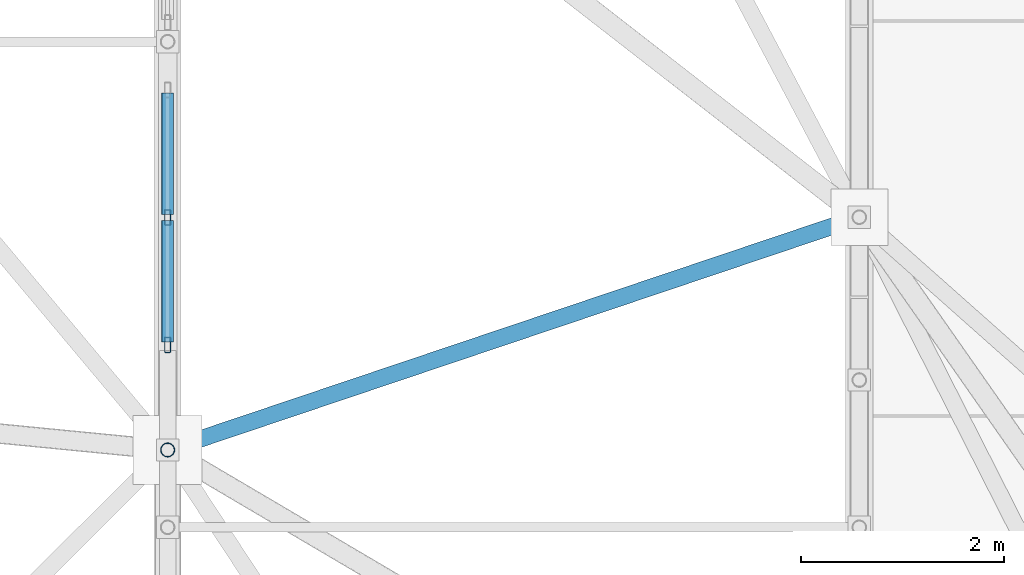
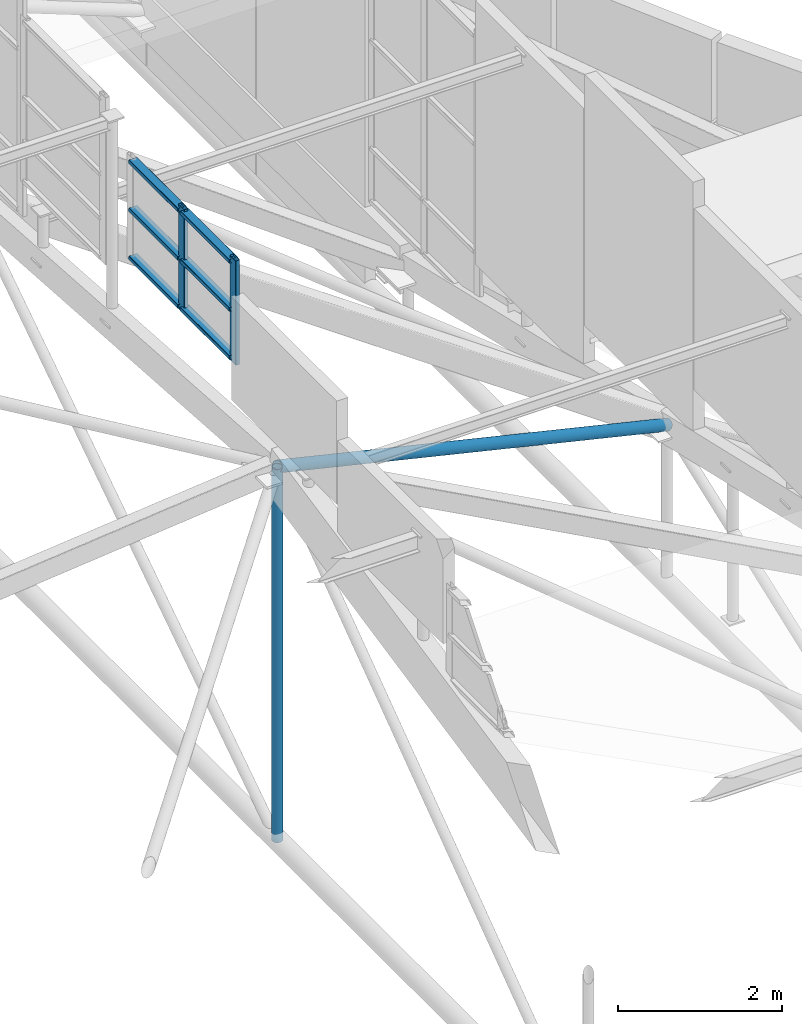
# One storey, part 23 of 188: 10 members, 1 element without a shape of its own.
"""IFC4 building model written with IfcOpenShell, lengths in metres."""

from ifc_helpers import new_model, si_unit, direction, frame, origin, origin_2d, place, context, subcontext, project, spatial, hollow_rectangle, hollow_circle, extrude, material, layer, layer_set, material_profile, profile_set, type_object, element, aggregate, save


model = new_model("IFC4")

# Units and contexts
model_context = context("Model", 3, precision=1e-05, world=origin(), true_north=direction((0.0, 1.0)))
body_context = subcontext(model_context, "Body", "Model", "MODEL_VIEW")
ifc_project = project(units=[si_unit("LENGTHUNIT", "METRE"), si_unit("AREAUNIT", "SQUARE_METRE"), si_unit("VOLUMEUNIT", "CUBIC_METRE"), si_unit("PLANEANGLEUNIT", "RADIAN"), si_unit("MASSUNIT", "GRAM", prefix="KILO")], contexts=[model_context])

# Site, building, storey
site_placement = place(None, origin())
site = spatial("IfcSite", under=ifc_project, at=site_placement, CompositionType="ELEMENT")
building_placement = place(site_placement, origin())
building = spatial("IfcBuilding", under=site, at=building_placement, Name="Kisaragi Civic Commons", CompositionType="ELEMENT")
storey_placement = place(building_placement, frame((0.0, 0.0, 9.60009765625)))
storey = spatial("IfcBuildingStorey", under=building, at=storey_placement, Name="L02", CompositionType="ELEMENT", Elevation=9.60009765625)

# Member
ifc_material_1 = material(Name="Steel SN400 (SN400B)", Category="steel")
ifc_material_profile_1 = material_profile(ifc_material_1, hollow_circle(Radius=0.08251953125, WallThickness=0.006103515625, at=origin_2d()), Name="CHS-165.2x6.0", Category="steel")
ifc_profile_set_1 = profile_set([ifc_material_profile_1], Name="Steel SN400 (SN400B)")
member_type_1 = type_object("IfcMemberType", Name="BR-02", PredefinedType="BRACE", material=ifc_profile_set_1)
member_1_placement = place(storey_placement, frame((20.39990234375, 24.512451171875, 5.043701171875), z_axis=(0.868026908945, 0.292074397395, -0.40152438498), x_axis=(-0.318911316436, 0.947784560039, 0.0)))
element("IfcMember", 1, at=member_1_placement, inside=storey, type_object=member_type_1, Name="V1 diagonal gridshell steel brace 21", PredefinedType="BRACE", context=body_context, shape_type="SweptSolid", body=[
    extrude(hollow_circle(Radius=0.08251953125, WallThickness=0.006103515625, at=origin_2d()), origin(), (0.0, 0.0, 1.0), 7.833984375),
])

# Curtain wall, members
ifc_material_2 = material(Name="Thermally broken anodized aluminium and low-E double glazing", Category="aluminium")
ifc_layer = layer(ifc_material_2, 0.14990234375, Name="Thermally broken anodized aluminium and low-E double glazing", Category="aluminium")
ifc_layer_set = layer_set([ifc_layer], Name="Thermally broken anodized aluminium and low-E double glazing")
curtain_wall_type = type_object("IfcCurtainWallType", Name="CW-03", PredefinedType="NOTDEFINED", material=ifc_layer_set)
curtain_wall_placement = place(storey_placement, origin())
curtain_wall = element("IfcCurtainWall", 2, at=curtain_wall_placement, inside=storey, type_object=curtain_wall_type, Name="L02 curtain wall CW-03 CW-CL-V1-158", PredefinedType="NOTDEFINED")
ifc_material_profile_2 = material_profile(ifc_material_2, hollow_rectangle(XDim=0.06005859375, YDim=0.14990234375, WallThickness=0.00390625, InnerFilletRadius=0.00390625, OuterFilletRadius=0.008056640625, at=origin_2d()), Name="CWM-60x150x4", Category="aluminium")
ifc_profile_set_2 = profile_set([ifc_material_profile_2], Name="Thermally broken anodized aluminium and low-E double glazing")
member_type_2 = type_object("IfcMemberType", Name="CWM-01", PredefinedType="MULLION", material=ifc_profile_set_2)
member_2_placement = place(storey_placement, frame((20.39990234375, 25.54541015625, 5.97412109375), z_axis=(0.0, 0.0, 1.0), x_axis=(-1.0, 0.0, 0.0)))
member_2 = element("IfcMember", 3, at=member_2_placement, type_object=member_type_2, Name="CW-03 mullion 1", PredefinedType="MULLION", context=body_context, shape_type="SweptSolid", body=[
    extrude(hollow_rectangle(XDim=0.06005859375, YDim=0.14990234375, WallThickness=0.00390625, InnerFilletRadius=0.00390625, OuterFilletRadius=0.008056640625, at=origin_2d()), origin(), (0.0, 0.0, 1.0), 1.55029296875),
])
member_3_placement = place(storey_placement, frame((20.39990234375, 26.798828125, 5.97412109375), z_axis=(0.0, 0.0, 1.0), x_axis=(-1.0, 0.0, 0.0)))
member_3 = element("IfcMember", 4, at=member_3_placement, type_object=member_type_2, Name="CW-03 mullion 2", PredefinedType="MULLION", context=body_context, shape_type="SweptSolid", body=[
    extrude(hollow_rectangle(XDim=0.06005859375, YDim=0.14990234375, WallThickness=0.00390625, InnerFilletRadius=0.00390625, OuterFilletRadius=0.008056640625, at=origin_2d()), origin(), (0.0, 0.0, 1.0), 1.55029296875),
])
ifc_material_profile_3 = material_profile(ifc_material_2, hollow_rectangle(XDim=0.1201171875, YDim=0.06005859375, WallThickness=0.00390625, InnerFilletRadius=0.00390625, OuterFilletRadius=0.008056640625, at=origin_2d()), Name="CWT-60x120x4", Category="aluminium")
ifc_profile_set_3 = profile_set([ifc_material_profile_3], Name="Thermally broken anodized aluminium and low-E double glazing")
member_type_3 = type_object("IfcMemberType", Name="CWT-01", PredefinedType="USERDEFINED", material=ifc_profile_set_3)
member_4_placement = place(storey_placement, frame((20.39990234375, 25.575439453125, 6.0341796875), z_axis=(0.0, 1.0, 0.0), x_axis=(-1.0, 0.0, 0.0)))
member_4 = element("IfcMember", 5, at=member_4_placement, type_object=member_type_3, Name="CW-03 transom 1.1", ObjectType="TRANSOM", PredefinedType="USERDEFINED", context=body_context, shape_type="SweptSolid", body=[
    extrude(hollow_rectangle(XDim=0.1201171875, YDim=0.06005859375, WallThickness=0.00390625, InnerFilletRadius=0.00390625, OuterFilletRadius=0.008056640625, at=origin_2d()), origin(), (0.0, 0.0, 1.0), 1.193359375),
])
member_5_placement = place(storey_placement, frame((20.39990234375, 25.575439453125, 6.749267578125), z_axis=(0.0, 1.0, 0.0), x_axis=(-1.0, 0.0, 0.0)))
member_5 = element("IfcMember", 6, at=member_5_placement, type_object=member_type_3, Name="CW-03 transom 1.2", ObjectType="TRANSOM", PredefinedType="USERDEFINED", context=body_context, shape_type="SweptSolid", body=[
    extrude(hollow_rectangle(XDim=0.1201171875, YDim=0.06005859375, WallThickness=0.00390625, InnerFilletRadius=0.00390625, OuterFilletRadius=0.008056640625, at=origin_2d()), origin(), (0.0, 0.0, 1.0), 1.193359375),
])
member_6_placement = place(storey_placement, frame((20.39990234375, 25.575439453125, 7.46435546875), z_axis=(0.0, 1.0, 0.0), x_axis=(-1.0, 0.0, 0.0)))
member_6 = element("IfcMember", 7, at=member_6_placement, type_object=member_type_3, Name="CW-03 transom 1.3", ObjectType="TRANSOM", PredefinedType="USERDEFINED", context=body_context, shape_type="SweptSolid", body=[
    extrude(hollow_rectangle(XDim=0.1201171875, YDim=0.06005859375, WallThickness=0.00390625, InnerFilletRadius=0.00390625, OuterFilletRadius=0.008056640625, at=origin_2d()), origin(), (0.0, 0.0, 1.0), 1.193359375),
])
member_7_placement = place(storey_placement, frame((20.39990234375, 26.828857421875, 6.0341796875), z_axis=(0.0, 1.0, 0.0), x_axis=(-1.0, 0.0, 0.0)))
member_7 = element("IfcMember", 8, at=member_7_placement, type_object=member_type_3, Name="CW-03 transom 2.1", ObjectType="TRANSOM", PredefinedType="USERDEFINED", context=body_context, shape_type="SweptSolid", body=[
    extrude(hollow_rectangle(XDim=0.1201171875, YDim=0.06005859375, WallThickness=0.00390625, InnerFilletRadius=0.00390625, OuterFilletRadius=0.008056640625, at=origin_2d()), origin(), (0.0, 0.0, 1.0), 1.193115234375),
])
member_8_placement = place(storey_placement, frame((20.39990234375, 26.828857421875, 6.749267578125), z_axis=(0.0, 1.0, 0.0), x_axis=(-1.0, 0.0, 0.0)))
member_8 = element("IfcMember", 9, at=member_8_placement, type_object=member_type_3, Name="CW-03 transom 2.2", ObjectType="TRANSOM", PredefinedType="USERDEFINED", context=body_context, shape_type="SweptSolid", body=[
    extrude(hollow_rectangle(XDim=0.1201171875, YDim=0.06005859375, WallThickness=0.00390625, InnerFilletRadius=0.00390625, OuterFilletRadius=0.008056640625, at=origin_2d()), origin(), (0.0, 0.0, 1.0), 1.193115234375),
])
member_9_placement = place(storey_placement, frame((20.39990234375, 26.828857421875, 7.46435546875), z_axis=(0.0, 1.0, 0.0), x_axis=(-1.0, 0.0, 0.0)))
member_9 = element("IfcMember", 10, at=member_9_placement, type_object=member_type_3, Name="CW-03 transom 2.3", ObjectType="TRANSOM", PredefinedType="USERDEFINED", context=body_context, shape_type="SweptSolid", body=[
    extrude(hollow_rectangle(XDim=0.1201171875, YDim=0.06005859375, WallThickness=0.00390625, InnerFilletRadius=0.00390625, OuterFilletRadius=0.008056640625, at=origin_2d()), origin(), (0.0, 0.0, 1.0), 1.193115234375),
])
aggregate(curtain_wall, [member_2, member_3, member_4, member_5, member_6, member_7, member_8, member_9])

# Member
ifc_material_3 = material(Name="Steel SN490 (SN490B)", Category="steel")
ifc_material_profile_4 = material_profile(ifc_material_3, hollow_circle(Radius=0.06982421875, WallThickness=0.006103515625, at=origin_2d()), Name="CHS-139.8x6.0", Category="steel")
ifc_profile_set_4 = profile_set([ifc_material_profile_4], Name="Steel SN490 (SN490B)")
member_type_4 = type_object("IfcMemberType", Name="ST-H1", PredefinedType="STRUT", material=ifc_profile_set_4)
member_10_placement = place(storey_placement, frame((20.39990234375, 24.512451171875, -0.49951171875), z_axis=(0.0, 0.0, 1.0), x_axis=(1.0, 0.0, 0.0)))
element("IfcMember", 11, at=member_10_placement, inside=storey, type_object=member_type_4, Name="V1 arch tie hanger strut 46", PredefinedType="STRUT", context=body_context, shape_type="SweptSolid", body=[
    extrude(hollow_circle(Radius=0.06982421875, WallThickness=0.006103515625, at=origin_2d()), origin(), (0.0, 0.0, 1.0), 5.543212890625),
])

save(model, "model.ifc")
